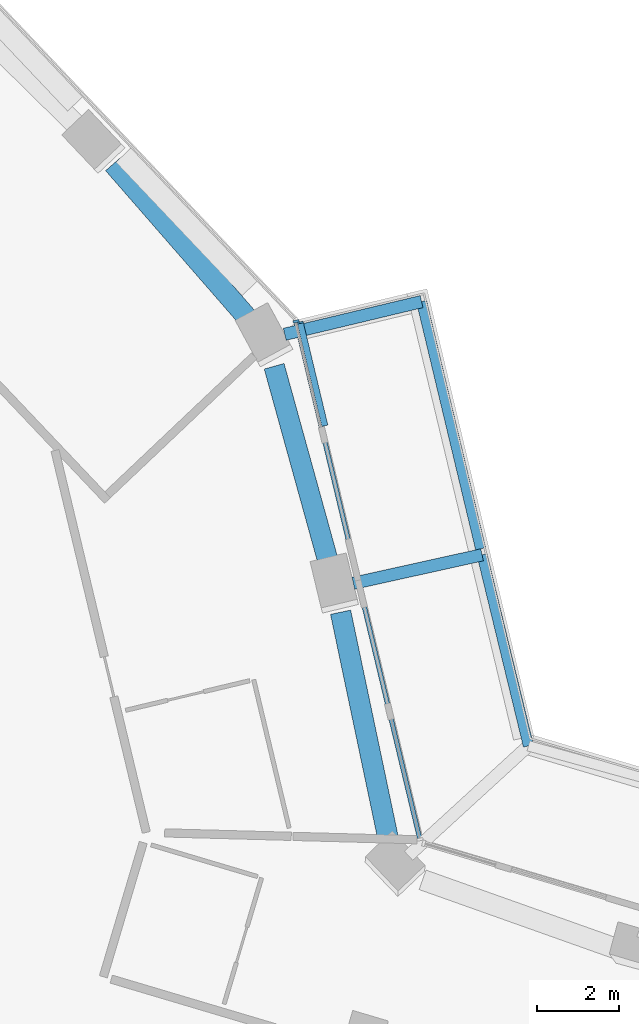
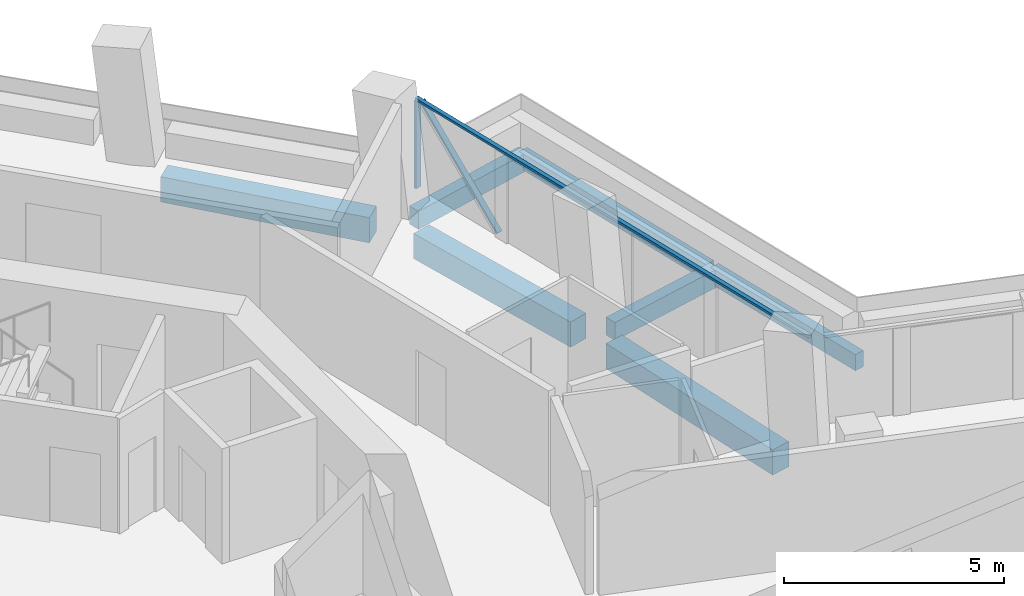
# One storey, part 9 of 27: 7 beams, 3 members, 1 element without a shape of its own.
"""IFC4 building model written with IfcOpenShell, lengths in metres."""

from ifc_helpers import new_model, si_unit, direction, frame, origin, origin_2d, place, context, subcontext, project, spatial, rectangle, extrude, material, layer, layer_set, material_profile, profile_set, type_object, element, aggregate, save


model = new_model("IFC4")

# Units and contexts
model_context = context("Model", 3, precision=1e-05, world=origin(), true_north=direction((0.0, 1.0)))
body_context = subcontext(model_context, "Body", "Model", "MODEL_VIEW")
ifc_project = project(units=[si_unit("LENGTHUNIT", "METRE"), si_unit("AREAUNIT", "SQUARE_METRE"), si_unit("VOLUMEUNIT", "CUBIC_METRE"), si_unit("PLANEANGLEUNIT", "RADIAN"), si_unit("MASSUNIT", "GRAM", prefix="KILO")], contexts=[model_context])

# Site, building, storey
site_placement = place(None, origin())
site = spatial("IfcSite", under=ifc_project, at=site_placement, CompositionType="ELEMENT")
building_placement = place(site_placement, origin())
building = spatial("IfcBuilding", under=site, at=building_placement, Name="Verdalira Terraces Hotel", CompositionType="ELEMENT")
storey_placement = place(building_placement, frame((0.0, 0.0, 89.5)))
storey = spatial("IfcBuildingStorey", under=building, at=storey_placement, Name="L20", CompositionType="ELEMENT", Elevation=89.5)

# Beams
ifc_material_1 = material(Name="Concrete C40", Category="concrete")
ifc_material_profile_1 = material_profile(ifc_material_1, rectangle(XDim=0.300049, YDim=0.5, at=origin_2d()), Name="RC 300X500")
ifc_profile_set_1 = profile_set([ifc_material_profile_1], Name="Concrete C40")
beam_type_1 = type_object("IfcBeamType", Name="Balcony cantilever beam RC 300X500 C40", PredefinedType="BEAM", material=ifc_profile_set_1)
beam_1_placement = place(storey_placement, frame((23.408936, 5.550293, -0.560059), z_axis=(0.976375132, 0.216082396, 0.0), x_axis=(-0.216082396, 0.976375132, 0.0)))
element("IfcBeam", 1, at=beam_1_placement, inside=storey, type_object=beam_type_1, Name="Balcony cantilever beam R38-3", PredefinedType="BEAM", context=body_context, shape_type="SweptSolid", body=[
    extrude(rectangle(XDim=0.300049, YDim=0.5, at=origin_2d()), origin(), (0.0, 0.0, 1.0), 3.200928),
])
beam_2_placement = place(storey_placement, frame((21.740967, 11.597656, -0.560059), z_axis=(0.972619628, 0.232402795, 0.0), x_axis=(-0.232402795, 0.972619628, 0.0)))
element("IfcBeam", 2, at=beam_2_placement, inside=storey, type_object=beam_type_1, Name="Balcony cantilever beam R38-4", PredefinedType="BEAM", context=body_context, shape_type="SweptSolid", body=[
    extrude(rectangle(XDim=0.300049, YDim=0.5, at=origin_2d()), origin(), (0.0, 0.0, 1.0), 3.417236),
])
ifc_material_2 = material(Name="Concrete C40", Category="concrete")
ifc_material_profile_2 = material_profile(ifc_material_2, rectangle(XDim=0.25, YDim=0.449951, at=origin_2d()), Name="RC 250X450")
ifc_profile_set_2 = profile_set([ifc_material_profile_2], Name="Concrete C40")
beam_type_2 = type_object("IfcBeamType", Name="Balcony edge beam RC 250X450 C40", PredefinedType="BEAM", material=ifc_profile_set_2)
beam_3_placement = place(storey_placement, frame((27.659912, 1.600586, -0.534912), z_axis=(-0.235709755, 0.971823498, 0.0), x_axis=(-0.971823498, -0.235709755, 0.0)))
element("IfcBeam", 3, at=beam_3_placement, inside=storey, type_object=beam_type_2, Name="Balcony edge beam R38-2", PredefinedType="BEAM", context=body_context, shape_type="SweptSolid", body=[
    extrude(rectangle(XDim=0.25, YDim=0.449951, at=origin_2d()), origin(), (0.0, 0.0, 1.0), 4.775879),
])
beam_4_placement = place(storey_placement, frame((26.499268, 6.387939, -0.534912), z_axis=(-0.23239754, 0.972620884, 0.0), x_axis=(-0.972620884, -0.23239754, 0.0)))
element("IfcBeam", 4, at=beam_4_placement, inside=storey, type_object=beam_type_2, Name="Balcony edge beam R38-3", PredefinedType="BEAM", context=body_context, shape_type="SweptSolid", body=[
    extrude(rectangle(XDim=0.25, YDim=0.449951, at=origin_2d()), origin(), (0.0, 0.0, 1.0), 6.172852),
])

# Curtain wall, members
ifc_material_3 = material(Name="Clear glass", Category="glass")
ifc_layer = layer(ifc_material_3, 0.14990234375)
ifc_layer_set = layer_set([ifc_layer], Name="CW1 curtain wall")
curtain_wall_type = type_object("IfcCurtainWallType", Name="CW1 curtain wall", PredefinedType="NOTDEFINED", material=ifc_layer_set)
curtain_wall_placement = place(storey_placement, origin())
curtain_wall = element("IfcCurtainWall", 5, at=curtain_wall_placement, inside=storey, type_object=curtain_wall_type, Name="CW1 curtain wall L20 edge 39", PredefinedType="NOTDEFINED")
ifc_material_4 = material(Name="Terracotta frame", Category="masonry")
ifc_material_profile_3 = material_profile(ifc_material_4, rectangle(XDim=0.060059, YDim=0.149902, at=origin_2d()), Name="MU 60x150")
ifc_profile_set_3 = profile_set([ifc_material_profile_3], Name="Terracotta frame")
member_type_1 = type_object("IfcMemberType", Name="CW1 mullion 60x150", PredefinedType="MULLION", material=ifc_profile_set_3)
member_1_placement = place(storey_placement, frame((22.017334, 11.913574, 0.0), z_axis=(0.0, 0.0, 1.0), x_axis=(-0.232426973, 0.972613851, 0.0)))
member_1 = element("IfcMember", 6, at=member_1_placement, type_object=member_type_1, Name="CW1 mullion", PredefinedType="MULLION", context=body_context, shape_type="SweptSolid", body=[
    extrude(rectangle(XDim=0.060059, YDim=0.149902, at=origin_2d()), origin(), (0.0, 0.0, 1.0), 2.425049),
])
ifc_material_5 = material(Name="Terracotta frame", Category="masonry")
ifc_material_profile_4 = material_profile(ifc_material_5, rectangle(XDim=0.110107, YDim=0.064941, at=origin_2d()), Name="TR 65x110")
ifc_profile_set_4 = profile_set([ifc_material_profile_4], Name="Terracotta frame")
member_type_2 = type_object("IfcMemberType", Name="CW1 transom 65x110", PredefinedType="USERDEFINED", material=ifc_profile_set_4)
member_2_placement = place(storey_placement, frame((25.031738, -0.701172, 2.45752), z_axis=(-0.232421056, 0.972615264, 0.0), x_axis=(-0.972615264, -0.232421056, 0.0)))
member_2 = element("IfcMember", 7, at=member_2_placement, type_object=member_type_2, Name="CW1 transom", ObjectType="TRANSOM", PredefinedType="USERDEFINED", context=body_context, shape_type="SweptSolid", body=[
    extrude(rectangle(XDim=0.110107, YDim=0.064941, at=origin_2d()), origin(), (0.0, 0.0, 1.0), 13.0),
])
ifc_material_6 = material(Name="Terracotta frame", Category="masonry")
ifc_material_profile_5 = material_profile(ifc_material_6, rectangle(XDim=0.149902, YDim=0.060059, at=origin_2d()), Name="GB 60x150")
ifc_profile_set_5 = profile_set([ifc_material_profile_5], Name="Terracotta frame")
member_type_3 = type_object("IfcMemberType", Name="Diagonal glazing bar 60x150", PredefinedType="USERDEFINED", material=ifc_profile_set_5)
member_3_placement = place(storey_placement, frame((22.710205, 9.396484, 0.023438), z_axis=(-0.170059131, 0.711855912, 0.68142575), x_axis=(-0.972630568, -0.232357008, 0.0)))
member_3 = element("IfcMember", 8, at=member_3_placement, type_object=member_type_3, Name="Diagonal glazing bar", ObjectType="GLAZING BAR", PredefinedType="USERDEFINED", context=body_context, shape_type="SweptSolid", body=[
    extrude(rectangle(XDim=0.149902, YDim=0.060059, at=origin_2d()), origin(), (0.0, 0.0, 1.0), 3.48999),
])
aggregate(curtain_wall, [member_1, member_2, member_3])

# Beams
ifc_material_7 = material(Name="Concrete C70", Category="concrete")
ifc_material_profile_6 = material_profile(ifc_material_7, rectangle(XDim=0.5, YDim=0.699951, at=origin_2d()), Name="RC 500X700")
ifc_profile_set_6 = profile_set([ifc_material_profile_6], Name="Concrete C70")
beam_type_3 = type_object("IfcBeamType", Name="Spandrel beam RC 500X700 C70", PredefinedType="SPANDREL", material=ifc_profile_set_6)
beam_5_placement = place(storey_placement, frame((24.263672, -0.703369, -0.659912), z_axis=(-0.205585259, 0.978639209, 0.0), x_axis=(-0.978639209, -0.205585259, 0.0)))
element("IfcBeam", 9, at=beam_5_placement, inside=storey, type_object=beam_type_3, Name="Spandrel beam B24", PredefinedType="SPANDREL", context=body_context, shape_type="SweptSolid", body=[
    extrude(rectangle(XDim=0.5, YDim=0.699951, at=origin_2d()), origin(), (0.0, 0.0, 1.0), 5.671631),
])
beam_6_placement = place(storey_placement, frame((22.819336, 5.990479, -0.659912), z_axis=(-0.266483045, 0.963839606, 0.0), x_axis=(-0.963839606, -0.266483045, 0.0)))
element("IfcBeam", 10, at=beam_6_placement, inside=storey, type_object=beam_type_3, Name="Spandrel beam B25", PredefinedType="SPANDREL", context=body_context, shape_type="SweptSolid", body=[
    extrude(rectangle(XDim=0.5, YDim=0.699951, at=origin_2d()), origin(), (0.0, 0.0, 1.0), 5.012207),
])
beam_7_placement = place(storey_placement, frame((20.872314, 11.955078, -0.659912), z_axis=(-0.656907528, 0.753971153, 0.0), x_axis=(-0.753971153, -0.656907528, 0.0)))
element("IfcBeam", 11, at=beam_7_placement, inside=storey, type_object=beam_type_3, Name="Spandrel beam B26", PredefinedType="SPANDREL", context=body_context, shape_type="SweptSolid", body=[
    extrude(rectangle(XDim=0.5, YDim=0.699951, at=origin_2d()), origin(), (0.0, 0.0, 1.0), 5.015381),
])

save(model, "model.ifc")
